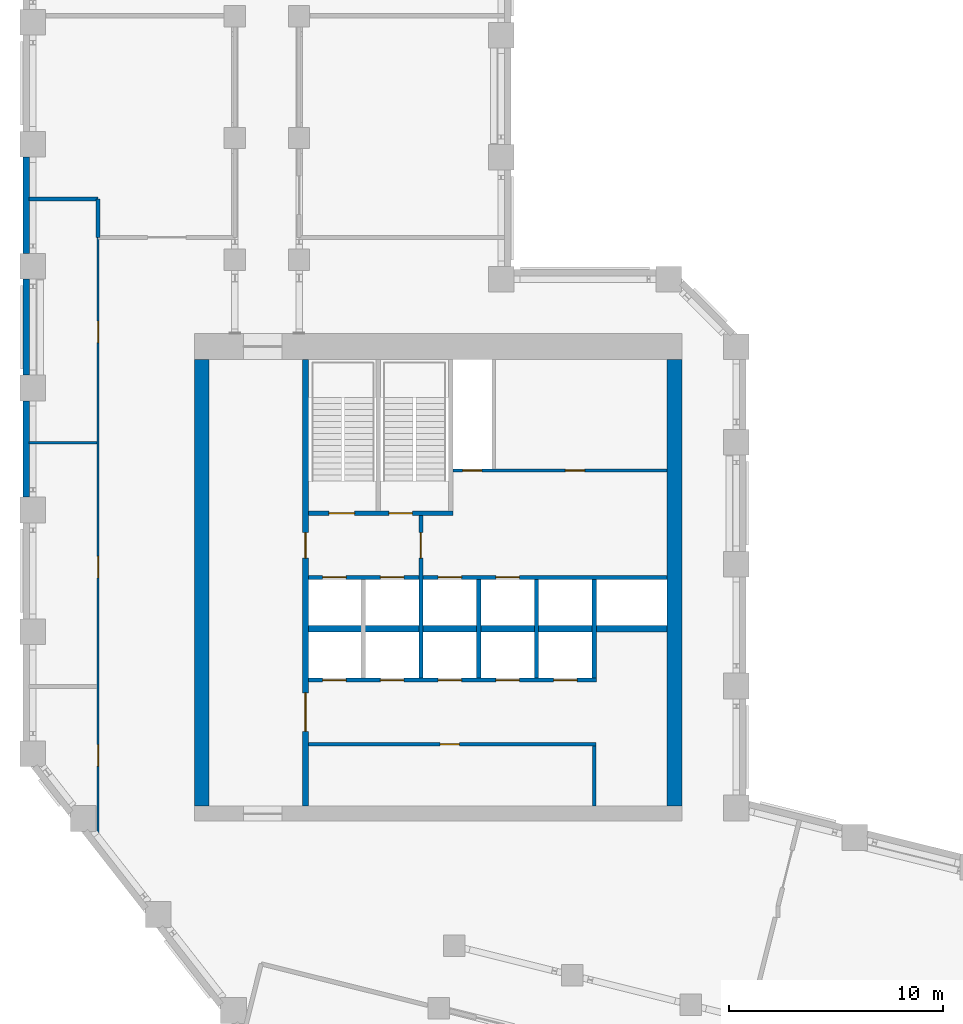
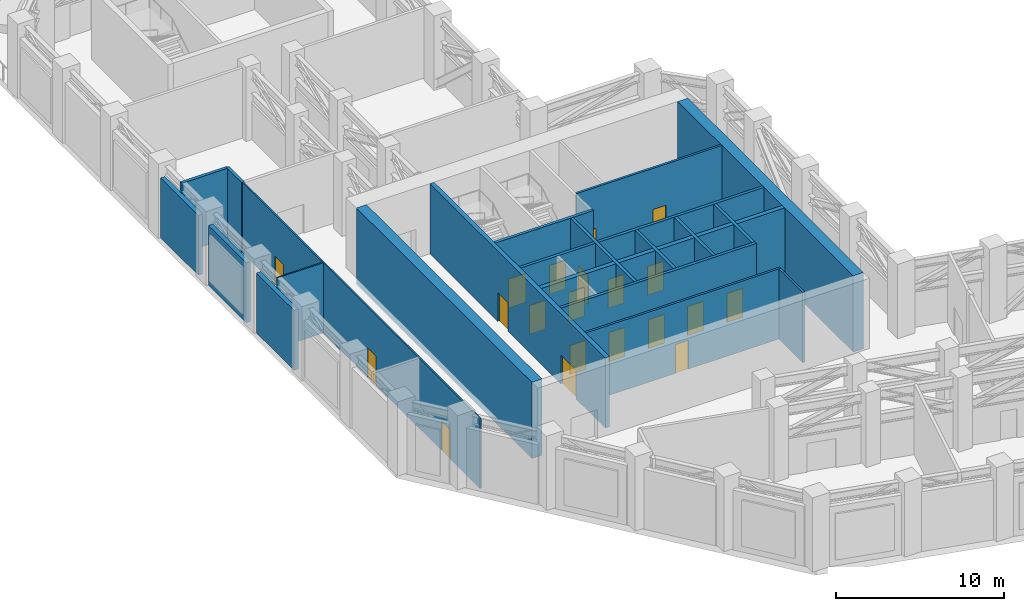
# One storey, part 8 of 14: 21 walls, 20 doors, 20 openings.
"""IFC4 building model written with IfcOpenShell, lengths in metres."""

from ifc_helpers import new_model, si_unit, direction, frame, frame_2d, origin, place, context, subcontext, project, spatial, rectangle, extrude, material, layer, layer_set, type_object, element, fill, save


model = new_model("IFC4")

# Units and contexts
model_context = context("Model", 3, precision=1e-05, world=origin(), true_north=direction((0.0, 1.0)))
body_context = subcontext(model_context, "Body", "Model", "MODEL_VIEW")
ifc_project = project(units=[si_unit("LENGTHUNIT", "METRE"), si_unit("AREAUNIT", "SQUARE_METRE"), si_unit("VOLUMEUNIT", "CUBIC_METRE"), si_unit("PLANEANGLEUNIT", "RADIAN"), si_unit("MASSUNIT", "GRAM", prefix="KILO")], contexts=[model_context])

# Site, building, storey
site_placement = place(None, origin())
site = spatial("IfcSite", under=ifc_project, at=site_placement, CompositionType="ELEMENT")
building_placement = place(site_placement, origin())
building = spatial("IfcBuilding", under=site, at=building_placement, Name="Meshkara Civic Tower", CompositionType="ELEMENT")
storey_placement = place(building_placement, frame((0.0, 0.0, 220.199951171875)))
storey = spatial("IfcBuildingStorey", under=building, at=storey_placement, Name="L50", CompositionType="ELEMENT", Elevation=220.199951171875)

# Wall, opening, door
ifc_material_1 = material(Name="Blockwork", Category="masonry")
ifc_layer_1 = layer(ifc_material_1, 0.14990234375)
ifc_layer_set_1 = layer_set([ifc_layer_1], Name="Core partition 150")
wall_type_1 = type_object("IfcWallType", Name="Core partition 150", PredefinedType="PARTITIONING", material=ifc_layer_set_1)
wall_1_placement = place(storey_placement, frame((13.35009765625, 17.699951171875, 0.0), z_axis=(0.0, 0.0, 1.0), x_axis=(1.0, 0.0, 0.0)))
wall_1 = element("IfcWall", 1, at=wall_1_placement, inside=storey, type_object=wall_type_1, Name="L50-C005", PredefinedType="PARTITIONING", context=body_context, shape_type="SweptSolid", body=[
    extrude(rectangle(XDim=13.4248046875, YDim=0.14990234375, at=frame_2d((6.71240234375, 0.0))), origin(), (0.0, 0.0, 1.0), 5.10009765625),
])
opening_1_placement = place(wall_1_placement, frame((6.14990234375, 0.0, 0.0)))
opening_1 = element("IfcOpeningElement", 2, at=opening_1_placement, cuts=wall_1, Name="Opening L50-K010", PredefinedType="OPENING", context=body_context, shape_type="SweptSolid", body=[
    extrude(rectangle(XDim=0.89990234375, YDim=2.10009765625, at=frame_2d((0.449951171875, 1.050048828125))), frame((0.0, 0.0849609375, 0.0), z_axis=(0.0, -1.0, 0.0), x_axis=(1.0, 0.0, 0.0)), (0.0, 0.0, 1.0), 0.169921875),
])
ifc_material_2 = material(Name="Timber door leaf in steel frame", Category="steel")
door_type_1 = type_object("IfcDoorType", Name="Core room door 900", OperationType="SINGLE_SWING_LEFT", PredefinedType="DOOR", material=ifc_material_2)
door_1_placement = place(opening_1_placement, origin())
door_1 = element("IfcDoor", 3, at=door_1_placement, inside=storey, type_object=door_type_1, Name="L50-K010", OperationType="SINGLE_SWING_LEFT", OverallHeight=2.10009765625, OverallWidth=0.89990234375, PredefinedType="DOOR", context=body_context, shape_type="SweptSolid", body=[
    extrude(rectangle(XDim=0.89990234375, YDim=2.10009765625, at=frame_2d((0.449951171875, 1.050048828125))), frame((0.0, 0.02490234375, 0.0), z_axis=(0.0, -1.0, 0.0), x_axis=(1.0, 0.0, 0.0)), (0.0, 0.0, 1.0), 0.050048828125),
])
fill(opening_1, door_1)

# Wall, openings, doors
wall_2_placement = place(storey_placement, frame((20.10009765625, 30.5, 0.0), z_axis=(0.0, 0.0, 1.0), x_axis=(1.0, 0.0, 0.0)))
wall_2 = element("IfcWall", 4, at=wall_2_placement, inside=storey, type_object=wall_type_1, Name="L50-C010", PredefinedType="PARTITIONING", context=body_context, shape_type="SweptSolid", body=[
    extrude(rectangle(XDim=10.0, YDim=0.14990234375, at=frame_2d((5.0, 0.0))), origin(), (0.0, 0.0, 1.0), 5.10009765625),
])
opening_2_placement = place(wall_2_placement, frame((0.449951171875, 0.0, 0.0)))
opening_2 = element("IfcOpeningElement", 5, at=opening_2_placement, cuts=wall_2, Name="Opening L50-K011", PredefinedType="OPENING", context=body_context, shape_type="SweptSolid", body=[
    extrude(rectangle(XDim=0.89990234375, YDim=2.10009765625, at=frame_2d((0.449951171875, 1.050048828125))), frame((0.0, 0.0849609375, 0.0), z_axis=(0.0, -1.0, 0.0), x_axis=(1.0, 0.0, 0.0)), (0.0, 0.0, 1.0), 0.169921875),
])
opening_3_placement = place(wall_2_placement, frame((5.25, 0.0, 0.0)))
opening_3 = element("IfcOpeningElement", 6, at=opening_3_placement, cuts=wall_2, Name="Opening L50-K012", PredefinedType="OPENING", context=body_context, shape_type="SweptSolid", body=[
    extrude(rectangle(XDim=0.89990234375, YDim=2.10009765625, at=frame_2d((0.449951171875, 1.050048828125))), frame((0.0, 0.0849609375, 0.0), z_axis=(0.0, -1.0, 0.0), x_axis=(1.0, 0.0, 0.0)), (0.0, 0.0, 1.0), 0.169921875),
])
door_2_placement = place(opening_3_placement, origin())
door_2 = element("IfcDoor", 7, at=door_2_placement, inside=storey, type_object=door_type_1, Name="L50-K012", OperationType="SINGLE_SWING_LEFT", OverallHeight=2.10009765625, OverallWidth=0.89990234375, PredefinedType="DOOR", context=body_context, shape_type="SweptSolid", body=[
    extrude(rectangle(XDim=0.89990234375, YDim=2.10009765625, at=frame_2d((0.449951171875, 1.050048828125))), frame((0.0, 0.02490234375, 0.0), z_axis=(0.0, -1.0, 0.0), x_axis=(1.0, 0.0, 0.0)), (0.0, 0.0, 1.0), 0.050048828125),
])
fill(opening_3, door_2)
ifc_material_3 = material(Name="Fire-rated door leaf in steel frame", Category="steel")
door_type_2 = type_object("IfcDoorType", Name="Riser door 900", OperationType="SINGLE_SWING_LEFT", PredefinedType="DOOR", material=ifc_material_3)
door_3_placement = place(opening_2_placement, origin())
door_3 = element("IfcDoor", 8, at=door_3_placement, inside=storey, type_object=door_type_2, Name="L50-K011", OperationType="SINGLE_SWING_RIGHT", OverallHeight=2.10009765625, OverallWidth=0.89990234375, PredefinedType="DOOR", context=body_context, shape_type="SweptSolid", body=[
    extrude(rectangle(XDim=0.89990234375, YDim=2.10009765625, at=frame_2d((0.449951171875, 1.050048828125))), frame((0.0, 0.02490234375, 0.0), z_axis=(0.0, -1.0, 0.0), x_axis=(1.0, 0.0, 0.0)), (0.0, 0.0, 1.0), 0.050048828125),
])
fill(opening_2, door_3)

# Walls
wall_3_placement = place(storey_placement, frame((26.699951171875, 14.800048828125, 0.0), z_axis=(0.0, 0.0, 1.0), x_axis=(0.0, 1.0, 0.0)))
element("IfcWall", 9, at=wall_3_placement, inside=storey, type_object=wall_type_1, Name="L50-C019", PredefinedType="PARTITIONING", context=body_context, shape_type="SweptSolid", body=[
    extrude(rectangle(XDim=2.824951171875, YDim=0.14990234375, at=frame_2d((1.41259765625, 0.0))), origin(), (0.0, 0.0, 1.0), 5.10009765625),
])
ifc_material_4 = material(Name="Concrete C70", Category="concrete")
ifc_layer_2 = layer(ifc_material_4, 0.699951171875)
ifc_layer_set_2 = layer_set([ifc_layer_2], Name="Core ring wall 700 C70")
wall_type_2 = type_object("IfcWallType", Name="Core ring wall 700 C70", PredefinedType="SHEAR", material=ifc_layer_set_2)
for number, where, z_axis, x_axis, name in (
    (10, (8.35009765625, 14.800048828125, -0.449951171875), (0.0, 0.0, 1.0), (0.0, 1.0, 0.0), "L50-C003"),
    (11, (30.449951171875, 14.800048828125, -0.449951171875), (0.0, 0.0, 1.0), (0.0, 1.0, 0.0), "L50-C004"),
):
    element("IfcWall", number, at=place(storey_placement, frame(where, z_axis=z_axis, x_axis=x_axis)), inside=storey, type_object=wall_type_2, Name=name, PredefinedType="SHEAR", context=body_context, shape_type="SweptSolid", body=[
        extrude(rectangle(XDim=20.89990234375, YDim=0.699951171875, at=frame_2d((10.449951171875, 0.0))), origin(), (0.0, 0.0, 1.0), 5.550048828125),
    ])
ifc_material_5 = material(Name="Concrete C70", Category="concrete")
ifc_layer_3 = layer(ifc_material_5, 0.300048828125)
ifc_layer_set_3 = layer_set([ifc_layer_3], Name="Core shear wall 300 C70")
wall_type_3 = type_object("IfcWallType", Name="Core shear wall 300 C70", PredefinedType="SHEAR", material=ifc_layer_set_3)
wall_4_placement = place(storey_placement, frame((13.35009765625, 23.10009765625, 0.0), z_axis=(0.0, 0.0, 1.0), x_axis=(1.0, 0.0, 0.0)))
element("IfcWall", 12, at=wall_4_placement, inside=storey, type_object=wall_type_3, Name="L50-C007", PredefinedType="SHEAR", context=body_context, shape_type="SweptSolid", body=[
    extrude(rectangle(XDim=16.75, YDim=0.300048828125, at=frame_2d((8.375, 0.0))), origin(), (0.0, 0.0, 1.0), 5.10009765625),
])

# Wall, openings, doors
wall_5_placement = place(storey_placement, frame((13.199951171875, 14.800048828125, 0.0), z_axis=(0.0, 0.0, 1.0), x_axis=(0.0, 1.0, 0.0)))
wall_5 = element("IfcWall", 13, at=wall_5_placement, inside=storey, type_object=wall_type_3, Name="L50-C011", PredefinedType="SHEAR", context=body_context, shape_type="SweptSolid", body=[
    extrude(rectangle(XDim=20.89990234375, YDim=0.300048828125, at=frame_2d((10.449951171875, 0.0))), origin(), (0.0, 0.0, 1.0), 5.10009765625),
])
opening_4_placement = place(wall_5_placement, frame((3.5, 0.0, 0.0)))
opening_4 = element("IfcOpeningElement", 14, at=opening_4_placement, cuts=wall_5, Name="Opening L50-K015", PredefinedType="OPENING", context=body_context, shape_type="SweptSolid", body=[
    extrude(rectangle(XDim=1.800048828125, YDim=2.10009765625, at=frame_2d((0.89990234375, 1.050048828125))), frame((0.0, 0.159912109375, 0.0), z_axis=(0.0, -1.0, 0.0), x_axis=(1.0, 0.0, 0.0)), (0.0, 0.0, 1.0), 0.320068359375),
])
opening_5_placement = place(wall_5_placement, frame((11.60009765625, 0.0, 0.0)))
opening_5 = element("IfcOpeningElement", 15, at=opening_5_placement, cuts=wall_5, Name="Opening L50-K016", PredefinedType="OPENING", context=body_context, shape_type="SweptSolid", body=[
    extrude(rectangle(XDim=1.199951171875, YDim=2.10009765625, at=frame_2d((0.60009765625, 1.050048828125))), frame((0.0, 0.159912109375, 0.0), z_axis=(0.0, -1.0, 0.0), x_axis=(1.0, 0.0, 0.0)), (0.0, 0.0, 1.0), 0.320068359375),
])
ifc_material_6 = material(Name="Fire-rated door leaf in steel frame", Category="steel")
door_type_3 = type_object("IfcDoorType", Name="Core double door 1800 EI 60", OperationType="DOUBLE_DOOR_SINGLE_SWING", PredefinedType="DOOR", material=ifc_material_6)
door_4_placement = place(opening_4_placement, origin())
door_4 = element("IfcDoor", 16, at=door_4_placement, inside=storey, type_object=door_type_3, Name="L50-K015", OperationType="DOUBLE_DOOR_SINGLE_SWING", OverallHeight=2.10009765625, OverallWidth=1.800048828125, PredefinedType="DOOR", context=body_context, shape_type="SweptSolid", body=[
    extrude(rectangle(XDim=1.800048828125, YDim=2.10009765625, at=frame_2d((0.89990234375, 1.050048828125))), frame((0.0, 0.02490234375, 0.0), z_axis=(0.0, -1.0, 0.0), x_axis=(1.0, 0.0, 0.0)), (0.0, 0.0, 1.0), 0.050048828125),
])
fill(opening_4, door_4)
ifc_material_7 = material(Name="Fire-rated door leaf in steel frame", Category="steel")
door_type_4 = type_object("IfcDoorType", Name="Fire-fighting lobby door 1200 EI 120", OperationType="SINGLE_SWING_LEFT", PredefinedType="DOOR", material=ifc_material_7)
door_5_placement = place(opening_5_placement, origin())
door_5 = element("IfcDoor", 17, at=door_5_placement, inside=storey, type_object=door_type_4, Name="L50-K016", OperationType="SINGLE_SWING_LEFT", OverallHeight=2.10009765625, OverallWidth=1.199951171875, PredefinedType="DOOR", context=body_context, shape_type="SweptSolid", body=[
    extrude(rectangle(XDim=1.199951171875, YDim=2.10009765625, at=frame_2d((0.60009765625, 1.050048828125))), frame((0.0, 0.02490234375, 0.0), z_axis=(0.0, -1.0, 0.0), x_axis=(1.0, 0.0, 0.0)), (0.0, 0.0, 1.0), 0.050048828125),
])
fill(opening_5, door_5)

ifc_material_8 = material(Name="Corridor wall 100")
ifc_layer_4 = layer(ifc_material_8, 0.10009765625)
ifc_layer_set_4 = layer_set([ifc_layer_4], Name="Corridor wall 100")
wall_type_4 = type_object("IfcWallType", Name="Corridor wall 100", PredefinedType="PARTITIONING", material=ifc_layer_set_4)
wall_6_placement = place(storey_placement, frame((3.5, 13.0869140625, 0.0), z_axis=(0.0, 0.0, 1.0), x_axis=(0.0, 1.0, 0.0)))
wall_6 = element("IfcWall", 18, at=wall_6_placement, inside=storey, type_object=wall_type_4, Name="L50-R002", PredefinedType="PARTITIONING", context=body_context, shape_type="SweptSolid", body=[
    extrude(rectangle(XDim=28.31298828125, YDim=0.10009765625, at=frame_2d((14.156494140625, 0.0))), origin(), (0.0, 0.0, 1.0), 5.10009765625),
])
opening_6_placement = place(wall_6_placement, frame((3.593017578125, 0.0, 0.0)))
opening_6 = element("IfcOpeningElement", 19, at=opening_6_placement, cuts=wall_6, Name="Opening L50-P010", PredefinedType="OPENING", context=body_context, shape_type="SweptSolid", body=[
    extrude(rectangle(XDim=1.0, YDim=2.10009765625, at=frame_2d((0.5, 1.050048828125))), frame((0.0, 0.06005859375, 0.0), z_axis=(0.0, -1.0, 0.0), x_axis=(1.0, 0.0, 0.0)), (0.0, 0.0, 1.0), 0.1201171875),
])
opening_7_placement = place(wall_6_placement, frame((12.39306640625, 0.0, 0.0)))
opening_7 = element("IfcOpeningElement", 20, at=opening_7_placement, cuts=wall_6, Name="Opening L50-P011", PredefinedType="OPENING", context=body_context, shape_type="SweptSolid", body=[
    extrude(rectangle(XDim=1.0, YDim=2.10009765625, at=frame_2d((0.5, 1.050048828125))), frame((0.0, 0.06005859375, 0.0), z_axis=(0.0, -1.0, 0.0), x_axis=(1.0, 0.0, 0.0)), (0.0, 0.0, 1.0), 0.1201171875),
])
opening_8_placement = place(wall_6_placement, frame((23.39306640625, 0.0, 0.0)))
opening_8 = element("IfcOpeningElement", 21, at=opening_8_placement, cuts=wall_6, Name="Opening L50-P012", PredefinedType="OPENING", context=body_context, shape_type="SweptSolid", body=[
    extrude(rectangle(XDim=1.0, YDim=2.10009765625, at=frame_2d((0.5, 1.050048828125))), frame((0.0, 0.06005859375, 0.0), z_axis=(0.0, -1.0, 0.0), x_axis=(1.0, 0.0, 0.0)), (0.0, 0.0, 1.0), 0.1201171875),
])
ifc_material_9 = material(Name="Door 1000 x 2100")
door_type_5 = type_object("IfcDoorType", Name="Door 1000 x 2100", OperationType="SINGLE_SWING_LEFT", PredefinedType="DOOR", material=ifc_material_9)
door_6_placement = place(opening_6_placement, origin())
door_6 = element("IfcDoor", 22, at=door_6_placement, inside=storey, type_object=door_type_5, Name="L50-P010", OperationType="SINGLE_SWING_RIGHT", OverallHeight=2.10009765625, OverallWidth=1.0, PredefinedType="DOOR", context=body_context, shape_type="SweptSolid", body=[
    extrude(rectangle(XDim=1.0, YDim=2.10009765625, at=frame_2d((0.5, 1.050048828125))), frame((0.0, 0.02490234375, 0.0), z_axis=(0.0, -1.0, 0.0), x_axis=(1.0, 0.0, 0.0)), (0.0, 0.0, 1.0), 0.050048828125),
])
fill(opening_6, door_6)
door_7_placement = place(opening_7_placement, origin())
door_7 = element("IfcDoor", 23, at=door_7_placement, inside=storey, type_object=door_type_5, Name="L50-P011", OperationType="SINGLE_SWING_RIGHT", OverallHeight=2.10009765625, OverallWidth=1.0, PredefinedType="DOOR", context=body_context, shape_type="SweptSolid", body=[
    extrude(rectangle(XDim=1.0, YDim=2.10009765625, at=frame_2d((0.5, 1.050048828125))), frame((0.0, 0.02490234375, 0.0), z_axis=(0.0, -1.0, 0.0), x_axis=(1.0, 0.0, 0.0)), (0.0, 0.0, 1.0), 0.050048828125),
])
fill(opening_7, door_7)
door_8_placement = place(opening_8_placement, origin())
door_8 = element("IfcDoor", 24, at=door_8_placement, inside=storey, type_object=door_type_5, Name="L50-P012", OperationType="SINGLE_SWING_RIGHT", OverallHeight=2.10009765625, OverallWidth=1.0, PredefinedType="DOOR", context=body_context, shape_type="SweptSolid", body=[
    extrude(rectangle(XDim=1.0, YDim=2.10009765625, at=frame_2d((0.5, 1.050048828125))), frame((0.0, 0.02490234375, 0.0), z_axis=(0.0, -1.0, 0.0), x_axis=(1.0, 0.0, 0.0)), (0.0, 0.0, 1.0), 0.050048828125),
])
fill(opening_8, door_8)

# Walls
ifc_material_10 = material(Name="Insulated infill panel with bronze anodised aluminium cladding", Category="aluminium")
ifc_layer_5 = layer(ifc_material_10, 0.300048828125)
ifc_layer_set_5 = layer_set([ifc_layer_5], Name="EXTERNAL INFILL WALL 300")
wall_type_5 = type_object("IfcWallType", Name="EXTERNAL INFILL WALL 300", PredefinedType="SOLIDWALL", material=ifc_layer_set_5)
for number, where, z_axis, x_axis, name in (
    (25, (0.14990234375, 45.154052734375, 0.0), (0.0, 0.0, 1.0), (0.0, -1.0, 0.0), "External wall"),
    (26, (0.14990234375, 39.4541015625, 0.0), (0.0, 0.0, 1.0), (0.0, -1.0, 0.0), "External wall"),
):
    element("IfcWall", number, at=place(storey_placement, frame(where, z_axis=z_axis, x_axis=x_axis)), inside=storey, type_object=wall_type_5, Name=name, PredefinedType="SOLIDWALL", context=body_context, shape_type="SweptSolid", body=[
        extrude(rectangle(XDim=4.498046875, YDim=0.300048828125, at=frame_2d((2.2490234375, 0.0))), origin(), (0.0, 0.0, 1.0), 4.35009765625),
    ])
wall_7_placement = place(storey_placement, frame((0.14990234375, 33.75390625, 0.0), z_axis=(0.0, 0.0, 1.0), x_axis=(0.0, -1.0, 0.0)))
element("IfcWall", 27, at=wall_7_placement, inside=storey, type_object=wall_type_5, Name="External wall", PredefinedType="SOLIDWALL", context=body_context, shape_type="SweptSolid", body=[
    extrude(rectangle(XDim=4.497802734375, YDim=0.300048828125, at=frame_2d((2.2490234375, 0.0))), origin(), (0.0, 0.0, 1.0), 4.35009765625),
])
ifc_material_11 = material(Name="Fire-rated wall 200")
ifc_layer_6 = layer(ifc_material_11, 0.199951171875)
ifc_layer_set_6 = layer_set([ifc_layer_6], Name="Fire-rated wall 200")
wall_type_6 = type_object("IfcWallType", Name="Fire-rated wall 200", PredefinedType="PARTITIONING", material=ifc_layer_set_6)
wall_8_placement = place(storey_placement, frame((0.280029296875, 43.199951171875, 0.0), z_axis=(0.0, 0.0, 1.0), x_axis=(1.0, 0.0, 0.0)))
element("IfcWall", 28, at=wall_8_placement, inside=storey, type_object=wall_type_6, Name="L50-R029", PredefinedType="PARTITIONING", context=body_context, shape_type="SweptSolid", body=[
    extrude(rectangle(XDim=3.219970703125, YDim=0.199951171875, at=frame_2d((1.60986328125, 0.0))), origin(), (0.0, 0.0, 1.0), 5.10009765625),
])
wall_9_placement = place(storey_placement, frame((3.5, 43.199951171875, 0.0), z_axis=(0.0, 0.0, 1.0), x_axis=(0.0, -1.0, 0.0)))
element("IfcWall", 29, at=wall_9_placement, inside=storey, type_object=wall_type_6, Name="L50-R032", PredefinedType="PARTITIONING", context=body_context, shape_type="SweptSolid", body=[
    extrude(rectangle(XDim=1.803955078125, YDim=0.199951171875, at=frame_2d((0.90185546875, 0.0))), origin(), (0.0, 0.0, 1.0), 5.10009765625),
])
ifc_material_12 = material(Name="Partition 100")
ifc_layer_7 = layer(ifc_material_12, 0.10009765625)
ifc_layer_set_7 = layer_set([ifc_layer_7], Name="Partition 100")
wall_type_7 = type_object("IfcWallType", Name="Partition 100", PredefinedType="PARTITIONING", material=ifc_layer_set_7)
wall_10_placement = place(storey_placement, frame((3.449951171875, 31.800048828125, 0.0), z_axis=(0.0, 0.0, 1.0), x_axis=(-1.0, 0.0, 0.0)))
element("IfcWall", 30, at=wall_10_placement, inside=storey, type_object=wall_type_7, Name="L50-R031", PredefinedType="PARTITIONING", context=body_context, shape_type="SweptSolid", body=[
    extrude(rectangle(XDim=3.169921875, YDim=0.10009765625, at=frame_2d((1.5849609375, 0.0))), origin(), (0.0, 0.0, 1.0), 5.10009765625),
])

# Wall, openings, doors
ifc_material_13 = material(Name="Concrete C40/50", Category="concrete")
ifc_layer_8 = layer(ifc_material_13, 0.199951171875)
ifc_layer_set_8 = layer_set([ifc_layer_8], Name="Shaft wall 200 C40/50")
wall_type_8 = type_object("IfcWallType", Name="Shaft wall 200 C40/50", PredefinedType="SOLIDWALL", material=ifc_layer_set_8)
wall_11_placement = place(storey_placement, frame((13.35009765625, 20.699951171875, 0.0), z_axis=(0.0, 0.0, 1.0), x_axis=(1.0, 0.0, 0.0)))
wall_11 = element("IfcWall", 31, at=wall_11_placement, inside=storey, type_object=wall_type_8, Name="L50-C006", PredefinedType="SOLIDWALL", context=body_context, shape_type="SweptSolid", body=[
    extrude(rectangle(XDim=13.449951171875, YDim=0.199951171875, at=frame_2d((6.72509765625, 0.0))), origin(), (0.0, 0.0, 1.0), 5.10009765625),
])
opening_9_placement = place(wall_11_placement, frame((0.64990234375, 0.0, 0.0)))
opening_9 = element("IfcOpeningElement", 32, at=opening_9_placement, cuts=wall_11, Name="Opening L50-K001", PredefinedType="OPENING", context=body_context, shape_type="SweptSolid", body=[
    extrude(rectangle(XDim=1.10009765625, YDim=2.10009765625, at=frame_2d((0.550048828125, 1.050048828125))), frame((0.0, 0.10986328125, 0.0), z_axis=(0.0, -1.0, 0.0), x_axis=(1.0, 0.0, 0.0)), (0.0, 0.0, 1.0), 0.219970703125),
])
opening_10_placement = place(wall_11_placement, frame((3.35009765625, 0.0, 0.0)))
opening_10 = element("IfcOpeningElement", 33, at=opening_10_placement, cuts=wall_11, Name="Opening L50-K002", PredefinedType="OPENING", context=body_context, shape_type="SweptSolid", body=[
    extrude(rectangle(XDim=1.10009765625, YDim=2.10009765625, at=frame_2d((0.550048828125, 1.050048828125))), frame((0.0, 0.10986328125, 0.0), z_axis=(0.0, -1.0, 0.0), x_axis=(1.0, 0.0, 0.0)), (0.0, 0.0, 1.0), 0.219970703125),
])
opening_11_placement = place(wall_11_placement, frame((6.050048828125, 0.0, 0.0)))
opening_11 = element("IfcOpeningElement", 34, at=opening_11_placement, cuts=wall_11, Name="Opening L50-K003", PredefinedType="OPENING", context=body_context, shape_type="SweptSolid", body=[
    extrude(rectangle(XDim=1.10009765625, YDim=2.10009765625, at=frame_2d((0.550048828125, 1.050048828125))), frame((0.0, 0.10986328125, 0.0), z_axis=(0.0, -1.0, 0.0), x_axis=(1.0, 0.0, 0.0)), (0.0, 0.0, 1.0), 0.219970703125),
])
opening_12_placement = place(wall_11_placement, frame((8.75, 0.0, 0.0)))
opening_12 = element("IfcOpeningElement", 35, at=opening_12_placement, cuts=wall_11, Name="Opening L50-K004", PredefinedType="OPENING", context=body_context, shape_type="SweptSolid", body=[
    extrude(rectangle(XDim=1.10009765625, YDim=2.10009765625, at=frame_2d((0.550048828125, 1.050048828125))), frame((0.0, 0.10986328125, 0.0), z_axis=(0.0, -1.0, 0.0), x_axis=(1.0, 0.0, 0.0)), (0.0, 0.0, 1.0), 0.219970703125),
])
opening_13_placement = place(wall_11_placement, frame((11.449951171875, 0.0, 0.0)))
opening_13 = element("IfcOpeningElement", 36, at=opening_13_placement, cuts=wall_11, Name="Opening L50-K005", PredefinedType="OPENING", context=body_context, shape_type="SweptSolid", body=[
    extrude(rectangle(XDim=1.10009765625, YDim=2.10009765625, at=frame_2d((0.550048828125, 1.050048828125))), frame((0.0, 0.10986328125, 0.0), z_axis=(0.0, -1.0, 0.0), x_axis=(1.0, 0.0, 0.0)), (0.0, 0.0, 1.0), 0.219970703125),
])
ifc_material_14 = material(Name="Stainless steel landing door", Category="steel")
door_type_6 = type_object("IfcDoorType", Name="Lift landing door 1100", OperationType="SLIDING_TO_LEFT", PredefinedType="DOOR", material=ifc_material_14)
door_9_placement = place(opening_9_placement, origin())
door_9 = element("IfcDoor", 37, at=door_9_placement, inside=storey, type_object=door_type_6, Name="L50-K001", OperationType="SLIDING_TO_LEFT", OverallHeight=2.10009765625, OverallWidth=1.10009765625, PredefinedType="DOOR", context=body_context, shape_type="SweptSolid", body=[
    extrude(rectangle(XDim=1.10009765625, YDim=2.10009765625, at=frame_2d((0.550048828125, 1.050048828125))), frame((0.0, 0.02490234375, 0.0), z_axis=(0.0, -1.0, 0.0), x_axis=(1.0, 0.0, 0.0)), (0.0, 0.0, 1.0), 0.050048828125),
])
fill(opening_9, door_9)
door_10_placement = place(opening_10_placement, origin())
door_10 = element("IfcDoor", 38, at=door_10_placement, inside=storey, type_object=door_type_6, Name="L50-K002", OperationType="SLIDING_TO_LEFT", OverallHeight=2.10009765625, OverallWidth=1.10009765625, PredefinedType="DOOR", context=body_context, shape_type="SweptSolid", body=[
    extrude(rectangle(XDim=1.10009765625, YDim=2.10009765625, at=frame_2d((0.550048828125, 1.050048828125))), frame((0.0, 0.02490234375, 0.0), z_axis=(0.0, -1.0, 0.0), x_axis=(1.0, 0.0, 0.0)), (0.0, 0.0, 1.0), 0.050048828125),
])
fill(opening_10, door_10)
door_11_placement = place(opening_11_placement, origin())
door_11 = element("IfcDoor", 39, at=door_11_placement, inside=storey, type_object=door_type_6, Name="L50-K003", OperationType="SLIDING_TO_LEFT", OverallHeight=2.10009765625, OverallWidth=1.10009765625, PredefinedType="DOOR", context=body_context, shape_type="SweptSolid", body=[
    extrude(rectangle(XDim=1.10009765625, YDim=2.10009765625, at=frame_2d((0.550048828125, 1.050048828125))), frame((0.0, 0.02490234375, 0.0), z_axis=(0.0, -1.0, 0.0), x_axis=(1.0, 0.0, 0.0)), (0.0, 0.0, 1.0), 0.050048828125),
])
fill(opening_11, door_11)
door_12_placement = place(opening_12_placement, origin())
door_12 = element("IfcDoor", 40, at=door_12_placement, inside=storey, type_object=door_type_6, Name="L50-K004", OperationType="SLIDING_TO_LEFT", OverallHeight=2.10009765625, OverallWidth=1.10009765625, PredefinedType="DOOR", context=body_context, shape_type="SweptSolid", body=[
    extrude(rectangle(XDim=1.10009765625, YDim=2.10009765625, at=frame_2d((0.550048828125, 1.050048828125))), frame((0.0, 0.02490234375, 0.0), z_axis=(0.0, -1.0, 0.0), x_axis=(1.0, 0.0, 0.0)), (0.0, 0.0, 1.0), 0.050048828125),
])
fill(opening_12, door_12)
door_13_placement = place(opening_13_placement, origin())
door_13 = element("IfcDoor", 41, at=door_13_placement, inside=storey, type_object=door_type_6, Name="L50-K005", OperationType="SLIDING_TO_LEFT", OverallHeight=2.10009765625, OverallWidth=1.10009765625, PredefinedType="DOOR", context=body_context, shape_type="SweptSolid", body=[
    extrude(rectangle(XDim=1.10009765625, YDim=2.10009765625, at=frame_2d((0.550048828125, 1.050048828125))), frame((0.0, 0.02490234375, 0.0), z_axis=(0.0, -1.0, 0.0), x_axis=(1.0, 0.0, 0.0)), (0.0, 0.0, 1.0), 0.050048828125),
])
fill(opening_13, door_13)

wall_12_placement = place(storey_placement, frame((13.35009765625, 25.5, 0.0), z_axis=(0.0, 0.0, 1.0), x_axis=(1.0, 0.0, 0.0)))
wall_12 = element("IfcWall", 42, at=wall_12_placement, inside=storey, type_object=wall_type_8, Name="L50-C008", PredefinedType="SOLIDWALL", context=body_context, shape_type="SweptSolid", body=[
    extrude(rectangle(XDim=16.75, YDim=0.199951171875, at=frame_2d((8.375, 0.0))), origin(), (0.0, 0.0, 1.0), 5.10009765625),
])
opening_14_placement = place(wall_12_placement, frame((0.64990234375, 0.0, 0.0)))
opening_14 = element("IfcOpeningElement", 43, at=opening_14_placement, cuts=wall_12, Name="Opening L50-K006", PredefinedType="OPENING", context=body_context, shape_type="SweptSolid", body=[
    extrude(rectangle(XDim=1.10009765625, YDim=2.10009765625, at=frame_2d((0.550048828125, 1.050048828125))), frame((0.0, 0.10986328125, 0.0), z_axis=(0.0, -1.0, 0.0), x_axis=(1.0, 0.0, 0.0)), (0.0, 0.0, 1.0), 0.219970703125),
])
opening_15_placement = place(wall_12_placement, frame((3.35009765625, 0.0, 0.0)))
opening_15 = element("IfcOpeningElement", 44, at=opening_15_placement, cuts=wall_12, Name="Opening L50-K007", PredefinedType="OPENING", context=body_context, shape_type="SweptSolid", body=[
    extrude(rectangle(XDim=1.10009765625, YDim=2.10009765625, at=frame_2d((0.550048828125, 1.050048828125))), frame((0.0, 0.10986328125, 0.0), z_axis=(0.0, -1.0, 0.0), x_axis=(1.0, 0.0, 0.0)), (0.0, 0.0, 1.0), 0.219970703125),
])
opening_16_placement = place(wall_12_placement, frame((6.050048828125, 0.0, 0.0)))
opening_16 = element("IfcOpeningElement", 45, at=opening_16_placement, cuts=wall_12, Name="Opening L50-K008", PredefinedType="OPENING", context=body_context, shape_type="SweptSolid", body=[
    extrude(rectangle(XDim=1.10009765625, YDim=2.10009765625, at=frame_2d((0.550048828125, 1.050048828125))), frame((0.0, 0.10986328125, 0.0), z_axis=(0.0, -1.0, 0.0), x_axis=(1.0, 0.0, 0.0)), (0.0, 0.0, 1.0), 0.219970703125),
])
opening_17_placement = place(wall_12_placement, frame((8.75, 0.0, 0.0)))
opening_17 = element("IfcOpeningElement", 46, at=opening_17_placement, cuts=wall_12, Name="Opening L50-K009", PredefinedType="OPENING", context=body_context, shape_type="SweptSolid", body=[
    extrude(rectangle(XDim=1.10009765625, YDim=2.10009765625, at=frame_2d((0.550048828125, 1.050048828125))), frame((0.0, 0.10986328125, 0.0), z_axis=(0.0, -1.0, 0.0), x_axis=(1.0, 0.0, 0.0)), (0.0, 0.0, 1.0), 0.219970703125),
])
door_14_placement = place(opening_14_placement, origin())
door_14 = element("IfcDoor", 47, at=door_14_placement, inside=storey, type_object=door_type_6, Name="L50-K006", OperationType="SLIDING_TO_LEFT", OverallHeight=2.10009765625, OverallWidth=1.10009765625, PredefinedType="DOOR", context=body_context, shape_type="SweptSolid", body=[
    extrude(rectangle(XDim=1.10009765625, YDim=2.10009765625, at=frame_2d((0.550048828125, 1.050048828125))), frame((0.0, 0.02490234375, 0.0), z_axis=(0.0, -1.0, 0.0), x_axis=(1.0, 0.0, 0.0)), (0.0, 0.0, 1.0), 0.050048828125),
])
fill(opening_14, door_14)
door_15_placement = place(opening_15_placement, origin())
door_15 = element("IfcDoor", 48, at=door_15_placement, inside=storey, type_object=door_type_6, Name="L50-K007", OperationType="SLIDING_TO_LEFT", OverallHeight=2.10009765625, OverallWidth=1.10009765625, PredefinedType="DOOR", context=body_context, shape_type="SweptSolid", body=[
    extrude(rectangle(XDim=1.10009765625, YDim=2.10009765625, at=frame_2d((0.550048828125, 1.050048828125))), frame((0.0, 0.02490234375, 0.0), z_axis=(0.0, -1.0, 0.0), x_axis=(1.0, 0.0, 0.0)), (0.0, 0.0, 1.0), 0.050048828125),
])
fill(opening_15, door_15)
door_16_placement = place(opening_16_placement, origin())
door_16 = element("IfcDoor", 49, at=door_16_placement, inside=storey, type_object=door_type_6, Name="L50-K008", OperationType="SLIDING_TO_LEFT", OverallHeight=2.10009765625, OverallWidth=1.10009765625, PredefinedType="DOOR", context=body_context, shape_type="SweptSolid", body=[
    extrude(rectangle(XDim=1.10009765625, YDim=2.10009765625, at=frame_2d((0.550048828125, 1.050048828125))), frame((0.0, 0.02490234375, 0.0), z_axis=(0.0, -1.0, 0.0), x_axis=(1.0, 0.0, 0.0)), (0.0, 0.0, 1.0), 0.050048828125),
])
fill(opening_16, door_16)
door_17_placement = place(opening_17_placement, origin())
door_17 = element("IfcDoor", 50, at=door_17_placement, inside=storey, type_object=door_type_6, Name="L50-K009", OperationType="SLIDING_TO_LEFT", OverallHeight=2.10009765625, OverallWidth=1.10009765625, PredefinedType="DOOR", context=body_context, shape_type="SweptSolid", body=[
    extrude(rectangle(XDim=1.10009765625, YDim=2.10009765625, at=frame_2d((0.550048828125, 1.050048828125))), frame((0.0, 0.02490234375, 0.0), z_axis=(0.0, -1.0, 0.0), x_axis=(1.0, 0.0, 0.0)), (0.0, 0.0, 1.0), 0.050048828125),
])
fill(opening_17, door_17)

# Wall, opening, door
wall_13_placement = place(storey_placement, frame((18.60009765625, 20.800048828125, 0.0), z_axis=(0.0, 0.0, 1.0), x_axis=(0.0, 1.0, 0.0)))
wall_13 = element("IfcWall", 51, at=wall_13_placement, inside=storey, type_object=wall_type_8, Name="L50-C014", PredefinedType="SOLIDWALL", context=body_context, shape_type="SweptSolid", body=[
    extrude(rectangle(XDim=7.599853515625, YDim=0.199951171875, at=frame_2d((3.7998046875, 0.0))), origin(), (0.0, 0.0, 1.0), 5.10009765625),
])
opening_18_placement = place(wall_13_placement, frame((5.60009765625, 0.0, 0.0)))
opening_18 = element("IfcOpeningElement", 52, at=opening_18_placement, cuts=wall_13, Name="Opening L50-K017", PredefinedType="OPENING", context=body_context, shape_type="SweptSolid", body=[
    extrude(rectangle(XDim=1.199951171875, YDim=2.10009765625, at=frame_2d((0.60009765625, 1.050048828125))), frame((0.0, 0.10986328125, 0.0), z_axis=(0.0, -1.0, 0.0), x_axis=(1.0, 0.0, 0.0)), (0.0, 0.0, 1.0), 0.219970703125),
])
door_18_placement = place(opening_18_placement, origin())
door_18 = element("IfcDoor", 53, at=door_18_placement, inside=storey, type_object=door_type_4, Name="L50-K017", OperationType="SINGLE_SWING_RIGHT", OverallHeight=2.10009765625, OverallWidth=1.199951171875, PredefinedType="DOOR", context=body_context, shape_type="SweptSolid", body=[
    extrude(rectangle(XDim=1.199951171875, YDim=2.10009765625, at=frame_2d((0.60009765625, 1.050048828125))), frame((0.0, 0.02490234375, 0.0), z_axis=(0.0, -1.0, 0.0), x_axis=(1.0, 0.0, 0.0)), (0.0, 0.0, 1.0), 0.050048828125),
])
fill(opening_18, door_18)

# Walls
for number, where, z_axis, x_axis, name in (
    (54, (21.300048828125, 20.800048828125, 0.0), (0.0, 0.0, 1.0), (0.0, 1.0, 0.0), "L50-C016"),
    (55, (24.0, 20.800048828125, 0.0), (0.0, 0.0, 1.0), (0.0, 1.0, 0.0), "L50-C018"),
    (56, (26.699951171875, 20.800048828125, 0.0), (0.0, 0.0, 1.0), (0.0, 1.0, 0.0), "L50-C020"),
):
    element("IfcWall", number, at=place(storey_placement, frame(where, z_axis=z_axis, x_axis=x_axis)), inside=storey, type_object=wall_type_8, Name=name, PredefinedType="SOLIDWALL", context=body_context, shape_type="SweptSolid", body=[
        extrude(rectangle(XDim=4.599853515625, YDim=0.199951171875, at=frame_2d((2.2998046875, 0.0))), origin(), (0.0, 0.0, 1.0), 5.10009765625),
    ])

# Wall, openings, doors
ifc_material_15 = material(Name="Concrete C40/50", Category="concrete")
ifc_layer_9 = layer(ifc_material_15, 0.199951171875)
ifc_layer_set_9 = layer_set([ifc_layer_9], Name="Stair enclosure wall 200 C40/50")
wall_type_9 = type_object("IfcWallType", Name="Stair enclosure wall 200 C40/50", PredefinedType="SOLIDWALL", material=ifc_layer_set_9)
wall_14_placement = place(storey_placement, frame((13.35009765625, 28.5, 0.0), z_axis=(0.0, 0.0, 1.0), x_axis=(1.0, 0.0, 0.0)))
wall_14 = element("IfcWall", 57, at=wall_14_placement, inside=storey, type_object=wall_type_9, Name="L50-C009", PredefinedType="SOLIDWALL", context=body_context, shape_type="SweptSolid", body=[
    extrude(rectangle(XDim=6.75, YDim=0.199951171875, at=frame_2d((3.375, 0.0))), origin(), (0.0, 0.0, 1.0), 5.10009765625),
])
opening_19_placement = place(wall_14_placement, frame((0.949951171875, 0.0, 0.0)))
opening_19 = element("IfcOpeningElement", 58, at=opening_19_placement, cuts=wall_14, Name="Opening L50-K013", PredefinedType="OPENING", context=body_context, shape_type="SweptSolid", body=[
    extrude(rectangle(XDim=1.199951171875, YDim=2.10009765625, at=frame_2d((0.60009765625, 1.050048828125))), frame((0.0, 0.10986328125, 0.0), z_axis=(0.0, -1.0, 0.0), x_axis=(1.0, 0.0, 0.0)), (0.0, 0.0, 1.0), 0.219970703125),
])
opening_20_placement = place(wall_14_placement, frame((3.75, 0.0, 0.0)))
opening_20 = element("IfcOpeningElement", 59, at=opening_20_placement, cuts=wall_14, Name="Opening L50-K014", PredefinedType="OPENING", context=body_context, shape_type="SweptSolid", body=[
    extrude(rectangle(XDim=1.10009765625, YDim=2.10009765625, at=frame_2d((0.550048828125, 1.050048828125))), frame((0.0, 0.10986328125, 0.0), z_axis=(0.0, -1.0, 0.0), x_axis=(1.0, 0.0, 0.0)), (0.0, 0.0, 1.0), 0.219970703125),
])
ifc_material_16 = material(Name="Fire-rated door leaf in steel frame", Category="steel")
door_type_7 = type_object("IfcDoorType", Name="Stair door 1100 EI 120", OperationType="SINGLE_SWING_LEFT", PredefinedType="DOOR", material=ifc_material_16)
door_19_placement = place(opening_20_placement, origin())
door_19 = element("IfcDoor", 60, at=door_19_placement, inside=storey, type_object=door_type_7, Name="L50-K014", OperationType="SINGLE_SWING_LEFT", OverallHeight=2.10009765625, OverallWidth=1.10009765625, PredefinedType="DOOR", context=body_context, shape_type="SweptSolid", body=[
    extrude(rectangle(XDim=1.10009765625, YDim=2.10009765625, at=frame_2d((0.550048828125, 1.050048828125))), frame((0.0, 0.02490234375, 0.0), z_axis=(0.0, -1.0, 0.0), x_axis=(1.0, 0.0, 0.0)), (0.0, 0.0, 1.0), 0.050048828125),
])
fill(opening_20, door_19)
ifc_material_17 = material(Name="Fire-rated door leaf in steel frame", Category="steel")
door_type_8 = type_object("IfcDoorType", Name="Stair door 1200 EI 120", OperationType="SINGLE_SWING_LEFT", PredefinedType="DOOR", material=ifc_material_17)
door_20_placement = place(opening_19_placement, origin())
door_20 = element("IfcDoor", 61, at=door_20_placement, inside=storey, type_object=door_type_8, Name="L50-K013", OperationType="SINGLE_SWING_RIGHT", OverallHeight=2.10009765625, OverallWidth=1.199951171875, PredefinedType="DOOR", context=body_context, shape_type="SweptSolid", body=[
    extrude(rectangle(XDim=1.199951171875, YDim=2.10009765625, at=frame_2d((0.60009765625, 1.050048828125))), frame((0.0, 0.02490234375, 0.0), z_axis=(0.0, -1.0, 0.0), x_axis=(1.0, 0.0, 0.0)), (0.0, 0.0, 1.0), 0.050048828125),
])
fill(opening_19, door_20)

save(model, "model.ifc")
